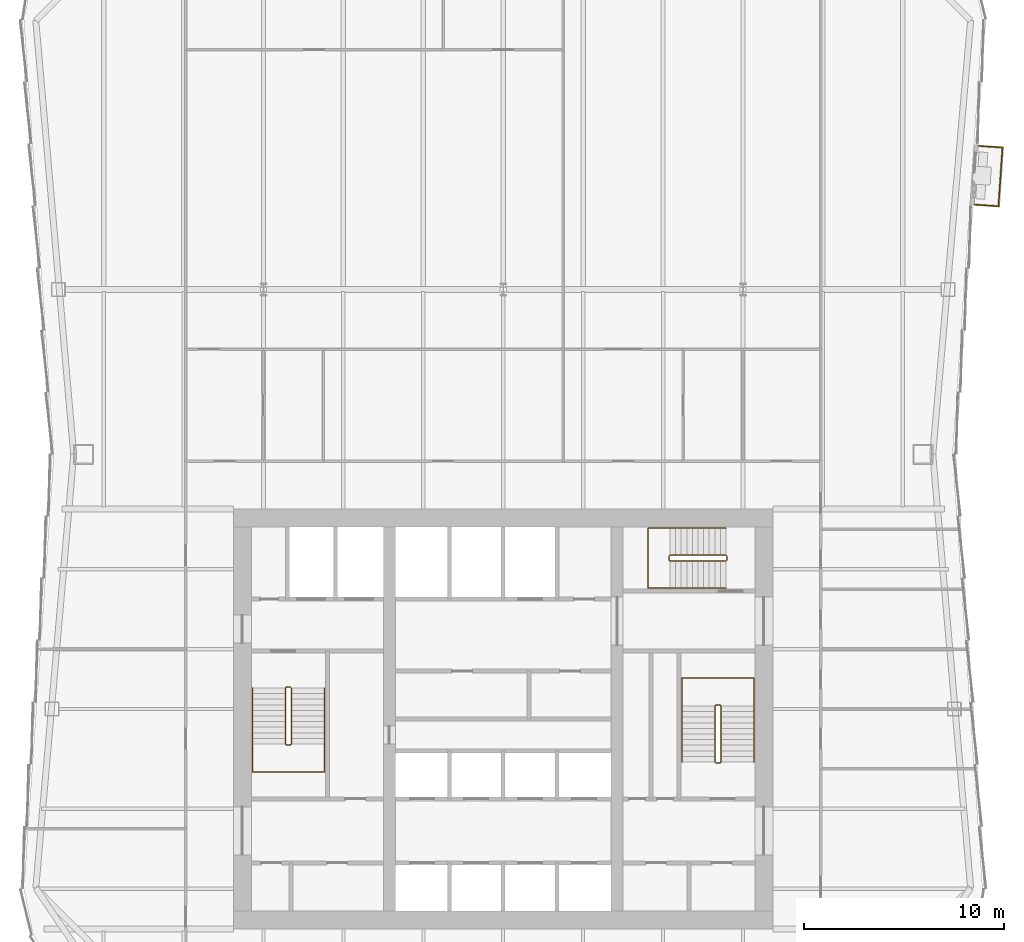
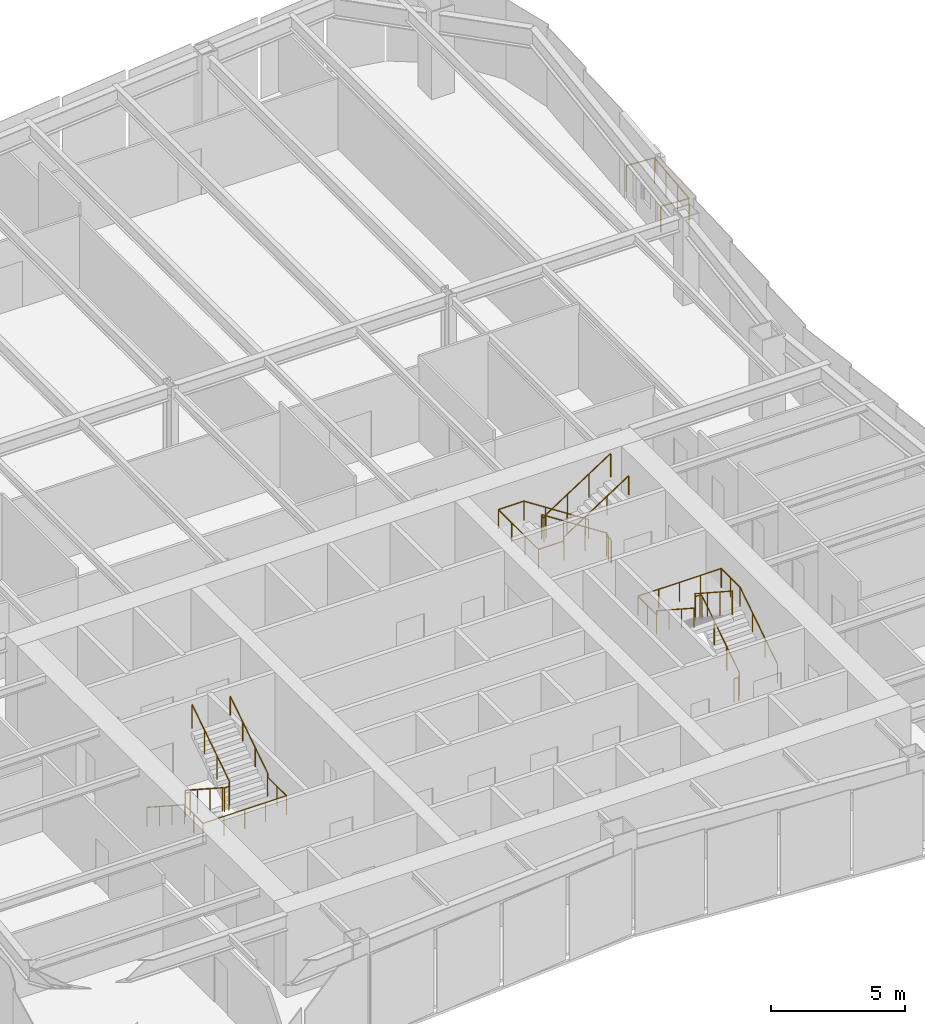
# One storey, part 9 of 10: 7 railings.
"""IFC4 building model written with IfcOpenShell, lengths in metres."""

import ifcopenshell
import ifcopenshell.guid

model = None  # the IFC model being written
_history = None  # IfcOwnerHistory: only IFC2X3 demands one
_inside = {}  # id of a spatial element -> (the spatial element, [elements in it])
_under = {}  # id of a project, library or spatial element -> (it, [spatial elements below it])
_declared = {}  # id of a project -> (the project, [libraries it declares])
_typed = {}  # id of a type object -> (the type object, [elements of that type])
_made_of = {}  # id of a material, layer set ... -> (it, [elements and type objects made of it])


def new_model(schema):
    """Start an empty IFC model of exactly this schema.

    Asked for "IFC4X3", IfcOpenShell would pick the latest addendum, in which some entities
    have other attributes; the version numbers below select the first issue.
    IFC2X3 requires an IfcOwnerHistory on every rooted entity: one is made here for all.
    """
    global model, _history
    if schema == "IFC4X3":
        model = ifcopenshell.file(schema_version=(4, 3, 0, 0))
    else:
        model = ifcopenshell.file(schema=schema)
    _inside.clear()
    _under.clear()
    _declared.clear()
    _typed.clear()
    _made_of.clear()
    _history = None
    if model.schema == "IFC2X3":
        org = make("IfcOrganization", Name="unknown")
        user = make(
            "IfcPersonAndOrganization",
            ThePerson=make("IfcPerson", FamilyName="unknown"),
            TheOrganization=org,
        )
        app = make(
            "IfcApplication",
            ApplicationDeveloper=org,
            Version="unknown",
            ApplicationFullName="unknown",
            ApplicationIdentifier="unknown",
        )
        _history = make(
            "IfcOwnerHistory",
            OwningUser=user,
            OwningApplication=app,
            ChangeAction="ADDED",
            CreationDate=0,
        )
    return model


def make(cls, **values):
    """One entity of the class cls with the attributes given. An attribute that is None is left unset."""
    return model.create_entity(
        cls, **{name: value for name, value in values.items() if value is not None}
    )


def rooted(cls, **values):
    """An entity with a GlobalId (a new one), such as an element, a storey or a relation."""
    return make(cls, GlobalId=ifcopenshell.guid.new(), OwnerHistory=_history, **values)


def si_unit(unit_type, name, prefix=None):
    """IfcSIUnit, for example si_unit("LENGTHUNIT", "METRE", prefix="MILLI")."""
    return make("IfcSIUnit", UnitType=unit_type, Prefix=prefix, Name=name)


def assignment(units):
    """IfcUnitAssignment: the units of a project."""
    return None if units is None else make("IfcUnitAssignment", Units=units)


def point(xyz):
    """IfcCartesianPoint."""
    return None if xyz is None else make("IfcCartesianPoint", Coordinates=xyz)


def direction(xyz):
    """IfcDirection."""
    return None if xyz is None else make("IfcDirection", DirectionRatios=xyz)


def frame(location, z_axis=None, x_axis=None):
    """IfcAxis2Placement3D, a coordinate frame: its origin and axes. An axis left out is left unset."""
    return make(
        "IfcAxis2Placement3D",
        Location=point(location),
        Axis=direction(z_axis),
        RefDirection=direction(x_axis),
    )


def frame_2d(location, x_axis=None):
    """IfcAxis2Placement2D, a coordinate frame in the plane: its origin and x axis."""
    return make(
        "IfcAxis2Placement2D", Location=point(location), RefDirection=direction(x_axis)
    )


def origin():
    """The frame at (0, 0, 0) with its axes left unset."""
    return frame((0.0, 0.0, 0.0))


def origin_2d():
    """The frame at (0, 0) in the plane with its x axis left unset."""
    return frame_2d((0.0, 0.0))


def place(relative_to, where):
    """IfcLocalPlacement: puts the frame where relative to a parent placement (None: the world)."""
    return make(
        "IfcLocalPlacement", PlacementRelTo=relative_to, RelativePlacement=where
    )


def context(
    kind, dimensions, precision=None, world=None, true_north=None, identifier=None
):
    """IfcGeometricRepresentationContext, for example the 3D "Model" context."""
    return make(
        "IfcGeometricRepresentationContext",
        ContextIdentifier=identifier,
        ContextType=kind,
        CoordinateSpaceDimension=dimensions,
        Precision=precision,
        WorldCoordinateSystem=world,
        TrueNorth=true_north,
    )


def subcontext(parent, identifier, kind, view, scale=None):
    """IfcGeometricRepresentationSubContext, for example "Body" below "Model"."""
    return make(
        "IfcGeometricRepresentationSubContext",
        ContextIdentifier=identifier,
        ContextType=kind,
        ParentContext=parent,
        TargetScale=scale,
        TargetView=view,
    )


def project(units=None, contexts=None):
    """IfcProject with its units and contexts."""
    return rooted(
        "IfcProject",
        Name="project",
        RepresentationContexts=contexts,
        UnitsInContext=assignment(units),
    )


def spatial(cls, under=None, at=None, **own):
    """A site, building, storey or space (cls), placed at a placement, below another one or the project."""
    s = rooted(cls, ObjectPlacement=at, **own)
    if under is not None:
        _under.setdefault(under.id(), (under, []))[1].append(s)
    return s


def profile(cls, at=None, kind="AREA", **sizes):
    """A parametric profile (cls). Its sizes go by their IFC names, for example OverallWidth=200.0."""
    return make(cls, ProfileType=kind, Position=at, **sizes)


def circle(**sizes):
    """IfcCircleProfileDef."""
    return profile("IfcCircleProfileDef", **sizes)


def extrude(swept, where, along, depth):
    """IfcExtrudedAreaSolid: the profile swept, set in the frame where, extruded along a direction by depth."""
    return make(
        "IfcExtrudedAreaSolid",
        SweptArea=swept,
        Position=where,
        ExtrudedDirection=direction(along),
        Depth=depth,
    )


def shape(context_of_items, identifier, shape_type, items):
    """IfcShapeRepresentation: the items that make up one representation, for example the "Body"."""
    return make(
        "IfcShapeRepresentation",
        ContextOfItems=context_of_items,
        RepresentationIdentifier=identifier,
        RepresentationType=shape_type,
        Items=items,
    )


def material(Name=None, Category=None):
    """IfcMaterial."""
    return make("IfcMaterial", Name=Name, Category=Category)


def made_of(thing, what):
    """Note that an element or type object is made of a material, layer set ...; save() writes the relation."""
    if what is not None:
        _made_of.setdefault(what.id(), (what, []))[1].append(thing)
    return thing


def type_object(cls, material=None, **own):
    """A type object (cls), such as IfcWallType, which elements share."""
    return made_of(rooted(cls, **own), material)


def element(
    cls,
    number,
    at=None,
    inside=None,
    cuts=None,
    type_object=None,
    material=None,
    context=None,
    identifier="Body",
    shape_type=None,
    held_by="IfcProductDefinitionShape",
    body=None,
    shapes=None,
    **own,
):
    """One element of the class cls, such as IfcWall. Its Tag is "e" and its number.

    at: its placement. inside: the storey or other place that contains it. cuts: it is an
    opening in that element (IfcRelVoidsElement). A single representation is given by context,
    identifier, shape_type and body (its items); several are given by shapes. held_by: the class
    of the entity that holds the representations. save() writes the other relations.
    """
    e = rooted(cls, Tag="e%d" % number, ObjectPlacement=at, **own)
    if body is not None:
        shapes = [shape(context, identifier, shape_type, body)]
    if shapes is not None:
        e.Representation = make(held_by, Representations=shapes)
    if inside is not None:
        _inside.setdefault(inside.id(), (inside, []))[1].append(e)
    if cuts is not None:
        rooted(
            "IfcRelVoidsElement", RelatingBuildingElement=cuts, RelatedOpeningElement=e
        )
    if type_object is not None:
        _typed.setdefault(type_object.id(), (type_object, []))[1].append(e)
    return made_of(e, material)


def aggregate(whole, parts):
    """IfcRelAggregates: a whole, such as a stair, and the parts it consists of."""
    return rooted("IfcRelAggregates", RelatingObject=whole, RelatedObjects=parts)


def save(model, path):
    """Write the relations noted so far, then the file.

    IfcRelAggregates (storeys below a building ...), IfcRelContainedInSpatialStructure (elements
    in a storey), IfcRelDefinesByType, IfcRelAssociatesMaterial and IfcRelDeclares: one each for
    every whole, place, type object, material and project.
    """
    for whole, parts in _under.values():
        aggregate(whole, parts)
    for where, things in _inside.values():
        rooted(
            "IfcRelContainedInSpatialStructure",
            RelatedElements=things,
            RelatingStructure=where,
        )
    for kind, things in _typed.values():
        rooted("IfcRelDefinesByType", RelatedObjects=things, RelatingType=kind)
    for what, things in _made_of.values():
        rooted("IfcRelAssociatesMaterial", RelatedObjects=things, RelatingMaterial=what)
    for by, libraries in _declared.values():
        rooted("IfcRelDeclares", RelatingContext=by, RelatedDefinitions=libraries)
    model.write(path)


model = new_model("IFC4")

# Units and contexts
model_context = context("Model", 3, precision=1e-05, world=origin(), true_north=direction((0.0, 1.0)))
body_context = subcontext(model_context, "Body", "Model", "MODEL_VIEW")
ifc_project = project(units=[si_unit("LENGTHUNIT", "METRE"), si_unit("AREAUNIT", "SQUARE_METRE"), si_unit("VOLUMEUNIT", "CUBIC_METRE"), si_unit("PLANEANGLEUNIT", "RADIAN"), si_unit("MASSUNIT", "GRAM", prefix="KILO")], contexts=[model_context])

# Site, building, storey
site_placement = place(None, origin())
site = spatial("IfcSite", under=ifc_project, at=site_placement, CompositionType="ELEMENT")
building_placement = place(site_placement, origin())
building = spatial("IfcBuilding", under=site, at=building_placement, Name="Verdant Reach Tower", CompositionType="ELEMENT")
storey_placement = place(building_placement, frame((0.0, 0.0, 210.0)))
storey = spatial("IfcBuildingStorey", under=building, at=storey_placement, Name="L48", CompositionType="ELEMENT", Elevation=210.0)

# Railings
ifc_material_1 = material(Name="Stainless steel", Category="steel")
railing_type_1 = type_object("IfcRailingType", Name="CO-GUARD", PredefinedType="GUARDRAIL", material=ifc_material_1)
railing_1_placement = place(storey_placement, frame((-10.64990234375, 29.60009765625, 0.0)))
element("IfcRailing", 1, at=railing_1_placement, inside=storey, type_object=railing_type_1, Name="L48 ST-1 stair guard 1", PredefinedType="GUARDRAIL", context=body_context, shape_type="SweptSolid", body=[
    extrude(circle(Radius=0.02392578125, at=origin_2d()), frame((0.0, 0.0, 1.076171875), z_axis=(-1.0, 0.0, 0.0), x_axis=(0.0, -1.0, 0.0)), (0.0, 0.0, 1.0), 0.2001953125),
    extrude(circle(Radius=0.02392578125, at=origin_2d()), frame((-0.2001953125, 0.0, 1.076171875), z_axis=(-0.25526617399, -0.256517478764, 0.932222056972), x_axis=(0.708833529934, -0.705375805398, 0.0)), (0.0, 0.0, 1.0), 0.195068359375),
    extrude(circle(Radius=0.02392578125, at=origin_2d()), frame((-0.25, -0.050048828125, 1.2578125), z_axis=(0.0, -0.838705829183, 0.544584733623), x_axis=(1.0, 0.0, 0.0)), (0.0, 0.0, 1.0), 3.338623046875),
    extrude(circle(Radius=0.02392578125, at=origin_2d()), frame((-0.25, -2.85009765625, 3.076171875), z_axis=(0.705375805398, -0.708833529934, 0.0), x_axis=(0.708833529934, 0.705375805398, 0.0)), (0.0, 0.0, 1.0), 0.070556640625),
    extrude(circle(Radius=0.02392578125, at=origin_2d()), frame((-0.2001953125, -2.900146484375, 3.076171875), z_axis=(1.0, 0.0, 0.0), x_axis=(0.0, 1.0, 0.0)), (0.0, 0.0, 1.0), 0.2001953125),
    extrude(circle(Radius=0.02392578125, at=origin_2d()), frame((0.0, -2.900146484375, 3.076171875), z_axis=(0.25526617399, 0.256517478764, 0.932222056972), x_axis=(-0.708833529934, 0.705375805398, 0.0)), (0.0, 0.0, 1.0), 0.195068359375),
    extrude(circle(Radius=0.02392578125, at=origin_2d()), frame((0.0498046875, -2.85009765625, 3.2578125), z_axis=(0.0, 0.838705829183, 0.544584733623), x_axis=(-1.0, 0.0, 0.0)), (0.0, 0.0, 1.0), 3.338623046875),
    extrude(circle(Radius=0.02099609375, at=origin_2d()), origin(), (0.0, 0.0, 1.0), 1.052001953125),
    extrude(circle(Radius=0.02099609375, at=origin_2d()), frame((-0.2001953125, 0.0, 0.0)), (0.0, 0.0, 1.0), 1.052001953125),
    extrude(circle(Radius=0.02099609375, at=origin_2d()), frame((-0.25, -0.050048828125, 0.181884765625)), (0.0, 0.0, 1.0), 1.052001953125),
    extrude(circle(Radius=0.02099609375, at=origin_2d()), frame((-0.25, -0.9833984375, 0.787841796875)), (0.0, 0.0, 1.0), 1.052001953125),
    extrude(circle(Radius=0.02099609375, at=origin_2d()), frame((-0.25, -1.916748046875, 1.39404296875)), (0.0, 0.0, 1.0), 1.052001953125),
    extrude(circle(Radius=0.02099609375, at=origin_2d()), frame((-0.25, -2.85009765625, 2.0)), (0.0, 0.0, 1.0), 1.052001953125),
    extrude(circle(Radius=0.02099609375, at=origin_2d()), frame((-0.2001953125, -2.900146484375, 2.0)), (0.0, 0.0, 1.0), 1.052001953125),
    extrude(circle(Radius=0.02099609375, at=origin_2d()), frame((0.0, -2.900146484375, 2.0)), (0.0, 0.0, 1.0), 1.052001953125),
    extrude(circle(Radius=0.02099609375, at=origin_2d()), frame((0.0498046875, -2.85009765625, 2.181884765625)), (0.0, 0.0, 1.0), 1.052001953125),
    extrude(circle(Radius=0.02099609375, at=origin_2d()), frame((0.0498046875, -1.916748046875, 2.787841796875)), (0.0, 0.0, 1.0), 1.052001953125),
    extrude(circle(Radius=0.02099609375, at=origin_2d()), frame((0.0498046875, -0.9833984375, 3.39404296875)), (0.0, 0.0, 1.0), 1.052001953125),
    extrude(circle(Radius=0.02099609375, at=origin_2d()), frame((0.0498046875, -0.050048828125, 4.0)), (0.0, 0.0, 1.0), 1.052001953125),
])
railing_2_placement = place(storey_placement, frame((10.64990234375, 25.800048828125, 0.0)))
element("IfcRailing", 2, at=railing_2_placement, inside=storey, type_object=railing_type_1, Name="L48 ST-2 stair guard 1", PredefinedType="GUARDRAIL", context=body_context, shape_type="SweptSolid", body=[
    extrude(circle(Radius=0.02392578125, at=origin_2d()), frame((0.0, 0.0, 1.076171875), z_axis=(1.0, 0.0, 0.0), x_axis=(0.0, 1.0, 0.0)), (0.0, 0.0, 1.0), 0.2001953125),
    extrude(circle(Radius=0.02392578125, at=origin_2d()), frame((0.2001953125, 0.0, 1.076171875), z_axis=(0.25526617399, 0.256517478764, 0.932222056972), x_axis=(-0.708833529934, 0.705375805398, 0.0)), (0.0, 0.0, 1.0), 0.195068359375),
    extrude(circle(Radius=0.02392578125, at=origin_2d()), frame((0.25, 0.050048828125, 1.2578125), z_axis=(0.0, 0.83868413941, 0.544618136222), x_axis=(-1.0, 0.0, 0.0)), (0.0, 0.0, 1.0), 3.33837890625),
    extrude(circle(Radius=0.02392578125, at=origin_2d()), frame((0.25, 2.849853515625, 3.076171875), z_axis=(-0.705375805398, 0.708833529934, 0.0), x_axis=(-0.708833529934, -0.705375805398, 0.0)), (0.0, 0.0, 1.0), 0.070556640625),
    extrude(circle(Radius=0.02392578125, at=origin_2d()), frame((0.2001953125, 2.89990234375, 3.076171875), z_axis=(-1.0, 0.0, 0.0), x_axis=(0.0, -1.0, 0.0)), (0.0, 0.0, 1.0), 0.2001953125),
    extrude(circle(Radius=0.02392578125, at=origin_2d()), frame((0.0, 2.89990234375, 3.076171875), z_axis=(-0.25526617399, -0.256517478764, 0.932222056972), x_axis=(0.708833529934, -0.705375805398, 0.0)), (0.0, 0.0, 1.0), 0.195068359375),
    extrude(circle(Radius=0.02392578125, at=origin_2d()), frame((-0.0498046875, 2.849853515625, 3.2578125), z_axis=(0.0, -0.83868413941, 0.544618136222), x_axis=(1.0, 0.0, 0.0)), (0.0, 0.0, 1.0), 3.33837890625),
    extrude(circle(Radius=0.02099609375, at=origin_2d()), origin(), (0.0, 0.0, 1.0), 1.052001953125),
    extrude(circle(Radius=0.02099609375, at=origin_2d()), frame((0.2001953125, 0.0, 0.0)), (0.0, 0.0, 1.0), 1.052001953125),
    extrude(circle(Radius=0.02099609375, at=origin_2d()), frame((0.25, 0.050048828125, 0.181884765625)), (0.0, 0.0, 1.0), 1.052001953125),
    extrude(circle(Radius=0.02099609375, at=origin_2d()), frame((0.25, 0.9833984375, 0.787841796875)), (0.0, 0.0, 1.0), 1.052001953125),
    extrude(circle(Radius=0.02099609375, at=origin_2d()), frame((0.25, 1.91650390625, 1.39404296875)), (0.0, 0.0, 1.0), 1.052001953125),
    extrude(circle(Radius=0.02099609375, at=origin_2d()), frame((0.25, 2.849853515625, 2.0)), (0.0, 0.0, 1.0), 1.052001953125),
    extrude(circle(Radius=0.02099609375, at=origin_2d()), frame((0.2001953125, 2.89990234375, 2.0)), (0.0, 0.0, 1.0), 1.052001953125),
    extrude(circle(Radius=0.02099609375, at=origin_2d()), frame((0.0, 2.89990234375, 2.0)), (0.0, 0.0, 1.0), 1.052001953125),
    extrude(circle(Radius=0.02099609375, at=origin_2d()), frame((-0.0498046875, 2.849853515625, 2.181884765625)), (0.0, 0.0, 1.0), 1.052001953125),
    extrude(circle(Radius=0.02099609375, at=origin_2d()), frame((-0.0498046875, 1.91650390625, 2.787841796875)), (0.0, 0.0, 1.0), 1.052001953125),
    extrude(circle(Radius=0.02099609375, at=origin_2d()), frame((-0.0498046875, 0.9833984375, 3.39404296875)), (0.0, 0.0, 1.0), 1.052001953125),
    extrude(circle(Radius=0.02099609375, at=origin_2d()), frame((-0.0498046875, 0.050048828125, 4.0)), (0.0, 0.0, 1.0), 1.052001953125),
])
railing_3_placement = place(storey_placement, frame((11.199951171875, 35.949951171875, 0.0)))
element("IfcRailing", 3, at=railing_3_placement, inside=storey, type_object=railing_type_1, Name="L48 ST-3 stair guard 1", PredefinedType="GUARDRAIL", context=body_context, shape_type="SweptSolid", body=[
    extrude(circle(Radius=0.02392578125, at=origin_2d()), frame((0.0, 0.0, 1.076171875), z_axis=(0.0, 1.0, 0.0), x_axis=(-1.0, 0.0, 0.0)), (0.0, 0.0, 1.0), 0.199951171875),
    extrude(circle(Radius=0.02392578125, at=origin_2d()), frame((0.0, 0.199951171875, 1.076171875), z_axis=(-0.256435381639, 0.256435381639, 0.931923704005), x_axis=(-0.707106781187, -0.707106781187, 0.0)), (0.0, 0.0, 1.0), 0.195068359375),
    extrude(circle(Radius=0.02392578125, at=origin_2d()), frame((-0.050048828125, 0.25, 1.2578125), z_axis=(-0.83868413941, 0.0, 0.544618136222), x_axis=(0.0, -1.0, 0.0)), (0.0, 0.0, 1.0), 3.33837890625),
    extrude(circle(Radius=0.02392578125, at=origin_2d()), frame((-2.849853515625, 0.25, 3.076171875), z_axis=(-0.707106781187, -0.707106781187, 0.0), x_axis=(0.707106781187, -0.707106781187, 0.0)), (0.0, 0.0, 1.0), 0.07080078125),
    extrude(circle(Radius=0.02392578125, at=origin_2d()), frame((-2.89990234375, 0.199951171875, 3.076171875), z_axis=(0.0, -1.0, 0.0), x_axis=(1.0, 0.0, 0.0)), (0.0, 0.0, 1.0), 0.199951171875),
    extrude(circle(Radius=0.02392578125, at=origin_2d()), frame((-2.89990234375, 0.0, 3.076171875), z_axis=(0.256435381639, -0.256435381639, 0.931923704005), x_axis=(0.707106781187, 0.707106781187, 0.0)), (0.0, 0.0, 1.0), 0.195068359375),
    extrude(circle(Radius=0.02392578125, at=origin_2d()), frame((-2.849853515625, -0.050048828125, 3.2578125), z_axis=(0.83868413941, 0.0, 0.544618136222), x_axis=(0.0, 1.0, 0.0)), (0.0, 0.0, 1.0), 3.33837890625),
    extrude(circle(Radius=0.02099609375, at=origin_2d()), origin(), (0.0, 0.0, 1.0), 1.052001953125),
    extrude(circle(Radius=0.02099609375, at=origin_2d()), frame((0.0, 0.199951171875, 0.0)), (0.0, 0.0, 1.0), 1.052001953125),
    extrude(circle(Radius=0.02099609375, at=origin_2d()), frame((-0.050048828125, 0.25, 0.181884765625)), (0.0, 0.0, 1.0), 1.052001953125),
    extrude(circle(Radius=0.02099609375, at=origin_2d()), frame((-0.9833984375, 0.25, 0.787841796875)), (0.0, 0.0, 1.0), 1.052001953125),
    extrude(circle(Radius=0.02099609375, at=origin_2d()), frame((-1.91650390625, 0.25, 1.39404296875)), (0.0, 0.0, 1.0), 1.052001953125),
    extrude(circle(Radius=0.02099609375, at=origin_2d()), frame((-2.849853515625, 0.25, 2.0)), (0.0, 0.0, 1.0), 1.052001953125),
    extrude(circle(Radius=0.02099609375, at=origin_2d()), frame((-2.89990234375, 0.199951171875, 2.0)), (0.0, 0.0, 1.0), 1.052001953125),
    extrude(circle(Radius=0.02099609375, at=origin_2d()), frame((-2.89990234375, 0.0, 2.0)), (0.0, 0.0, 1.0), 1.052001953125),
    extrude(circle(Radius=0.02099609375, at=origin_2d()), frame((-2.849853515625, -0.050048828125, 2.181884765625)), (0.0, 0.0, 1.0), 1.052001953125),
    extrude(circle(Radius=0.02099609375, at=origin_2d()), frame((-1.91650390625, -0.050048828125, 2.787841796875)), (0.0, 0.0, 1.0), 1.052001953125),
    extrude(circle(Radius=0.02099609375, at=origin_2d()), frame((-0.9833984375, -0.050048828125, 3.39404296875)), (0.0, 0.0, 1.0), 1.052001953125),
    extrude(circle(Radius=0.02099609375, at=origin_2d()), frame((-0.050048828125, -0.050048828125, 4.0)), (0.0, 0.0, 1.0), 1.052001953125),
])
railing_type_2 = type_object("IfcRailingType", Name="CO-HANDRAIL", PredefinedType="HANDRAIL", material=ifc_material_1)
railing_4_placement = place(storey_placement, frame((-12.550048828125, 29.550048828125, 0.181884765625)))
element("IfcRailing", 4, at=railing_4_placement, inside=storey, type_object=railing_type_2, Name="L48 ST-1 stair handrail 1", PredefinedType="HANDRAIL", context=body_context, shape_type="SweptSolid", body=[
    extrude(circle(Radius=0.02392578125, at=origin_2d()), frame((0.0, 0.0, 0.8759765625), z_axis=(0.0, -0.838705829183, 0.544584733623), x_axis=(1.0, 0.0, 0.0)), (0.0, 0.0, 1.0), 3.338623046875),
    extrude(circle(Radius=0.02392578125, at=origin_2d()), frame((0.0, -2.800048828125, 2.69384765625), z_axis=(0.0, -1.0, 0.0), x_axis=(1.0, 0.0, 0.0)), (0.0, 0.0, 1.0), 1.39990234375),
    extrude(circle(Radius=0.02392578125, at=origin_2d()), frame((0.0, -4.199951171875, 2.69384765625), z_axis=(1.0, 0.0, 0.0), x_axis=(0.0, 1.0, 0.0)), (0.0, 0.0, 1.0), 3.60009765625),
    extrude(circle(Radius=0.02392578125, at=origin_2d()), frame((3.60009765625, -4.199951171875, 2.69384765625), z_axis=(0.0, 1.0, 0.0), x_axis=(-1.0, 0.0, 0.0)), (0.0, 0.0, 1.0), 1.39990234375),
    extrude(circle(Radius=0.02392578125, at=origin_2d()), frame((3.60009765625, -2.800048828125, 2.69384765625), z_axis=(0.0, 0.0, 1.0), x_axis=(1.0, 0.0, 0.0)), (0.0, 0.0, 1.0), 0.181884765625),
    extrude(circle(Radius=0.02392578125, at=origin_2d()), frame((3.60009765625, -2.800048828125, 2.8759765625), z_axis=(0.0, 0.838705829183, 0.544584733623), x_axis=(-1.0, 0.0, 0.0)), (0.0, 0.0, 1.0), 3.338623046875),
    extrude(circle(Radius=0.02099609375, at=origin_2d()), origin(), (0.0, 0.0, 1.0), 0.851806640625),
    extrude(circle(Radius=0.02099609375, at=origin_2d()), frame((0.0, -0.933349609375, 0.60595703125)), (0.0, 0.0, 1.0), 0.851806640625),
    extrude(circle(Radius=0.02099609375, at=origin_2d()), frame((0.0, -1.86669921875, 1.212158203125)), (0.0, 0.0, 1.0), 0.851806640625),
    extrude(circle(Radius=0.02099609375, at=origin_2d()), frame((0.0, -2.800048828125, 1.818115234375)), (0.0, 0.0, 1.0), 0.851806640625),
    extrude(circle(Radius=0.02099609375, at=origin_2d()), frame((0.0, -3.5, 1.818115234375)), (0.0, 0.0, 1.0), 0.851806640625),
    extrude(circle(Radius=0.02099609375, at=origin_2d()), frame((0.0, -4.199951171875, 1.818115234375)), (0.0, 0.0, 1.0), 0.851806640625),
    extrude(circle(Radius=0.02099609375, at=origin_2d()), frame((0.89990234375, -4.199951171875, 1.818115234375)), (0.0, 0.0, 1.0), 0.851806640625),
    extrude(circle(Radius=0.02099609375, at=origin_2d()), frame((1.800048828125, -4.199951171875, 1.818115234375)), (0.0, 0.0, 1.0), 0.851806640625),
    extrude(circle(Radius=0.02099609375, at=origin_2d()), frame((2.7001953125, -4.199951171875, 1.818115234375)), (0.0, 0.0, 1.0), 0.851806640625),
    extrude(circle(Radius=0.02099609375, at=origin_2d()), frame((3.60009765625, -4.199951171875, 1.818115234375)), (0.0, 0.0, 1.0), 0.851806640625),
    extrude(circle(Radius=0.02099609375, at=origin_2d()), frame((3.60009765625, -3.5, 1.818115234375)), (0.0, 0.0, 1.0), 0.851806640625),
    extrude(circle(Radius=0.02099609375, at=origin_2d()), frame((3.60009765625, -2.800048828125, 1.818115234375)), (0.0, 0.0, 1.0), 0.851806640625),
    extrude(circle(Radius=0.02099609375, at=origin_2d()), frame((3.60009765625, -2.800048828125, 2.0)), (0.0, 0.0, 1.0), 0.851806640625),
    extrude(circle(Radius=0.02099609375, at=origin_2d()), frame((3.60009765625, -1.86669921875, 2.60595703125)), (0.0, 0.0, 1.0), 0.851806640625),
    extrude(circle(Radius=0.02099609375, at=origin_2d()), frame((3.60009765625, -0.933349609375, 3.212158203125)), (0.0, 0.0, 1.0), 0.851806640625),
    extrude(circle(Radius=0.02099609375, at=origin_2d()), frame((3.60009765625, 0.0, 3.818115234375)), (0.0, 0.0, 1.0), 0.851806640625),
])
railing_5_placement = place(storey_placement, frame((12.550048828125, 25.85009765625, 0.181884765625)))
element("IfcRailing", 5, at=railing_5_placement, inside=storey, type_object=railing_type_2, Name="L48 ST-2 stair handrail 1", PredefinedType="HANDRAIL", context=body_context, shape_type="SweptSolid", body=[
    extrude(circle(Radius=0.02392578125, at=origin_2d()), frame((0.0, 0.0, 0.8759765625), z_axis=(0.0, 0.83868413941, 0.544618136222), x_axis=(-1.0, 0.0, 0.0)), (0.0, 0.0, 1.0), 3.33837890625),
    extrude(circle(Radius=0.02392578125, at=origin_2d()), frame((0.0, 2.7998046875, 2.69384765625), z_axis=(0.0, 1.0, 0.0), x_axis=(-1.0, 0.0, 0.0)), (0.0, 0.0, 1.0), 1.400146484375),
    extrude(circle(Radius=0.02392578125, at=origin_2d()), frame((0.0, 4.199951171875, 2.69384765625), z_axis=(-1.0, 0.0, 0.0), x_axis=(0.0, -1.0, 0.0)), (0.0, 0.0, 1.0), 3.60009765625),
    extrude(circle(Radius=0.02392578125, at=origin_2d()), frame((-3.60009765625, 4.199951171875, 2.69384765625), z_axis=(0.0, -1.0, 0.0), x_axis=(1.0, 0.0, 0.0)), (0.0, 0.0, 1.0), 1.400146484375),
    extrude(circle(Radius=0.02392578125, at=origin_2d()), frame((-3.60009765625, 2.7998046875, 2.69384765625), z_axis=(0.0, 0.0, 1.0), x_axis=(1.0, 0.0, 0.0)), (0.0, 0.0, 1.0), 0.181884765625),
    extrude(circle(Radius=0.02392578125, at=origin_2d()), frame((-3.60009765625, 2.7998046875, 2.8759765625), z_axis=(0.0, -0.83868413941, 0.544618136222), x_axis=(1.0, 0.0, 0.0)), (0.0, 0.0, 1.0), 3.33837890625),
    extrude(circle(Radius=0.02099609375, at=origin_2d()), origin(), (0.0, 0.0, 1.0), 0.851806640625),
    extrude(circle(Radius=0.02099609375, at=origin_2d()), frame((0.0, 0.933349609375, 0.60595703125)), (0.0, 0.0, 1.0), 0.851806640625),
    extrude(circle(Radius=0.02099609375, at=origin_2d()), frame((0.0, 1.866455078125, 1.212158203125)), (0.0, 0.0, 1.0), 0.851806640625),
    extrude(circle(Radius=0.02099609375, at=origin_2d()), frame((0.0, 2.7998046875, 1.818115234375)), (0.0, 0.0, 1.0), 0.851806640625),
    extrude(circle(Radius=0.02099609375, at=origin_2d()), frame((0.0, 3.5, 1.818115234375)), (0.0, 0.0, 1.0), 0.851806640625),
    extrude(circle(Radius=0.02099609375, at=origin_2d()), frame((0.0, 4.199951171875, 1.818115234375)), (0.0, 0.0, 1.0), 0.851806640625),
    extrude(circle(Radius=0.02099609375, at=origin_2d()), frame((-0.89990234375, 4.199951171875, 1.818115234375)), (0.0, 0.0, 1.0), 0.851806640625),
    extrude(circle(Radius=0.02099609375, at=origin_2d()), frame((-1.800048828125, 4.199951171875, 1.818115234375)), (0.0, 0.0, 1.0), 0.851806640625),
    extrude(circle(Radius=0.02099609375, at=origin_2d()), frame((-2.7001953125, 4.199951171875, 1.818115234375)), (0.0, 0.0, 1.0), 0.851806640625),
    extrude(circle(Radius=0.02099609375, at=origin_2d()), frame((-3.60009765625, 4.199951171875, 1.818115234375)), (0.0, 0.0, 1.0), 0.851806640625),
    extrude(circle(Radius=0.02099609375, at=origin_2d()), frame((-3.60009765625, 3.5, 1.818115234375)), (0.0, 0.0, 1.0), 0.851806640625),
    extrude(circle(Radius=0.02099609375, at=origin_2d()), frame((-3.60009765625, 2.7998046875, 1.818115234375)), (0.0, 0.0, 1.0), 0.851806640625),
    extrude(circle(Radius=0.02099609375, at=origin_2d()), frame((-3.60009765625, 2.7998046875, 2.0)), (0.0, 0.0, 1.0), 0.851806640625),
    extrude(circle(Radius=0.02099609375, at=origin_2d()), frame((-3.60009765625, 1.866455078125, 2.60595703125)), (0.0, 0.0, 1.0), 0.851806640625),
    extrude(circle(Radius=0.02099609375, at=origin_2d()), frame((-3.60009765625, 0.933349609375, 3.212158203125)), (0.0, 0.0, 1.0), 0.851806640625),
    extrude(circle(Radius=0.02099609375, at=origin_2d()), frame((-3.60009765625, 0.0, 3.818115234375)), (0.0, 0.0, 1.0), 0.851806640625),
])
railing_6_placement = place(storey_placement, frame((11.14990234375, 37.550048828125, 0.181884765625)))
element("IfcRailing", 6, at=railing_6_placement, inside=storey, type_object=railing_type_2, Name="L48 ST-3 stair handrail 1", PredefinedType="HANDRAIL", context=body_context, shape_type="SweptSolid", body=[
    extrude(circle(Radius=0.02392578125, at=origin_2d()), frame((0.0, 0.0, 0.8759765625), z_axis=(-0.83868413941, 0.0, 0.544618136222), x_axis=(0.0, -1.0, 0.0)), (0.0, 0.0, 1.0), 3.33837890625),
    extrude(circle(Radius=0.02392578125, at=origin_2d()), frame((-2.7998046875, 0.0, 2.69384765625), z_axis=(-1.0, 0.0, 0.0), x_axis=(0.0, -1.0, 0.0)), (0.0, 0.0, 1.0), 1.10009765625),
    extrude(circle(Radius=0.02392578125, at=origin_2d()), frame((-3.89990234375, 0.0, 2.69384765625), z_axis=(0.0, -1.0, 0.0), x_axis=(1.0, 0.0, 0.0)), (0.0, 0.0, 1.0), 3.0),
    extrude(circle(Radius=0.02392578125, at=origin_2d()), frame((-3.89990234375, -3.0, 2.69384765625), z_axis=(1.0, 0.0, 0.0), x_axis=(0.0, 1.0, 0.0)), (0.0, 0.0, 1.0), 1.10009765625),
    extrude(circle(Radius=0.02392578125, at=origin_2d()), frame((-2.7998046875, -3.0, 2.69384765625), z_axis=(0.0, 0.0, 1.0), x_axis=(1.0, 0.0, 0.0)), (0.0, 0.0, 1.0), 0.181884765625),
    extrude(circle(Radius=0.02392578125, at=origin_2d()), frame((-2.7998046875, -3.0, 2.8759765625), z_axis=(0.83868413941, 0.0, 0.544618136222), x_axis=(0.0, 1.0, 0.0)), (0.0, 0.0, 1.0), 3.33837890625),
    extrude(circle(Radius=0.02099609375, at=origin_2d()), origin(), (0.0, 0.0, 1.0), 0.851806640625),
    extrude(circle(Radius=0.02099609375, at=origin_2d()), frame((-0.933349609375, 0.0, 0.60595703125)), (0.0, 0.0, 1.0), 0.851806640625),
    extrude(circle(Radius=0.02099609375, at=origin_2d()), frame((-1.866455078125, 0.0, 1.212158203125)), (0.0, 0.0, 1.0), 0.851806640625),
    extrude(circle(Radius=0.02099609375, at=origin_2d()), frame((-2.7998046875, 0.0, 1.818115234375)), (0.0, 0.0, 1.0), 0.851806640625),
    extrude(circle(Radius=0.02099609375, at=origin_2d()), frame((-3.89990234375, 0.0, 1.818115234375)), (0.0, 0.0, 1.0), 0.851806640625),
    extrude(circle(Radius=0.02099609375, at=origin_2d()), frame((-3.89990234375, -1.0, 1.818115234375)), (0.0, 0.0, 1.0), 0.851806640625),
    extrude(circle(Radius=0.02099609375, at=origin_2d()), frame((-3.89990234375, -2.0, 1.818115234375)), (0.0, 0.0, 1.0), 0.851806640625),
    extrude(circle(Radius=0.02099609375, at=origin_2d()), frame((-3.89990234375, -3.0, 1.818115234375)), (0.0, 0.0, 1.0), 0.851806640625),
    extrude(circle(Radius=0.02099609375, at=origin_2d()), frame((-2.7998046875, -3.0, 1.818115234375)), (0.0, 0.0, 1.0), 0.851806640625),
    extrude(circle(Radius=0.02099609375, at=origin_2d()), frame((-2.7998046875, -3.0, 2.0)), (0.0, 0.0, 1.0), 0.851806640625),
    extrude(circle(Radius=0.02099609375, at=origin_2d()), frame((-1.866455078125, -3.0, 2.60595703125)), (0.0, 0.0, 1.0), 0.851806640625),
    extrude(circle(Radius=0.02099609375, at=origin_2d()), frame((-0.933349609375, -3.0, 3.212158203125)), (0.0, 0.0, 1.0), 0.851806640625),
    extrude(circle(Radius=0.02099609375, at=origin_2d()), frame((0.0, -3.0, 3.818115234375)), (0.0, 0.0, 1.0), 0.851806640625),
])
ifc_material_2 = material(Name="Stainless steel and laminated glass balustrade", Category="steel")
railing_type_3 = type_object("IfcRailingType", Name="EN-RAILING BALCONY", PredefinedType="GUARDRAIL", material=ifc_material_2)
railing_7_placement = place(storey_placement, frame((23.6103515625, 53.744384765625, 0.0)))
element("IfcRailing", 7, at=railing_7_placement, inside=storey, type_object=railing_type_3, Name="Balcony guard 1, L48", PredefinedType="GUARDRAIL", context=body_context, shape_type="SweptSolid", body=[
    extrude(circle(Radius=0.02490234375, at=origin_2d()), frame((0.0, 0.0, 1.1748046875), z_axis=(0.997631794817, -0.068780825605, 0.0), x_axis=(0.068780825605, 0.997631794817, 0.0)), (0.0, 0.0, 1.0), 1.181884765625),
    extrude(circle(Radius=0.02490234375, at=origin_2d()), frame((1.17919921875, -0.081298828125, 1.1748046875), z_axis=(0.068810617056, 0.997629740425, 0.0), x_axis=(-0.997629740425, 0.068810617056, 0.0)), (0.0, 0.0, 1.0), 2.948486328125),
    extrude(circle(Radius=0.02490234375, at=origin_2d()), frame((1.382080078125, 2.860107421875, 1.1748046875), z_axis=(-0.997631794817, 0.068780825605, 0.0), x_axis=(-0.068780825605, -0.997631794817, 0.0)), (0.0, 0.0, 1.0), 1.181884765625),
    extrude(circle(Radius=0.02490234375, at=origin_2d()), origin(), (0.0, 0.0, 1.0), 1.14990234375),
    extrude(circle(Radius=0.02490234375, at=origin_2d()), frame((1.17919921875, -0.081298828125, 0.0)), (0.0, 0.0, 1.0), 1.14990234375),
    extrude(circle(Radius=0.02490234375, at=origin_2d()), frame((1.246826171875, 0.899169921875, 0.0)), (0.0, 0.0, 1.0), 1.14990234375),
    extrude(circle(Radius=0.02490234375, at=origin_2d()), frame((1.314453125, 1.879638671875, 0.0)), (0.0, 0.0, 1.0), 1.14990234375),
    extrude(circle(Radius=0.02490234375, at=origin_2d()), frame((1.382080078125, 2.860107421875, 0.0)), (0.0, 0.0, 1.0), 1.14990234375),
    extrude(circle(Radius=0.02490234375, at=origin_2d()), frame((0.202880859375, 2.94140625, 0.0)), (0.0, 0.0, 1.0), 1.14990234375),
])

save(model, "model.ifc")
